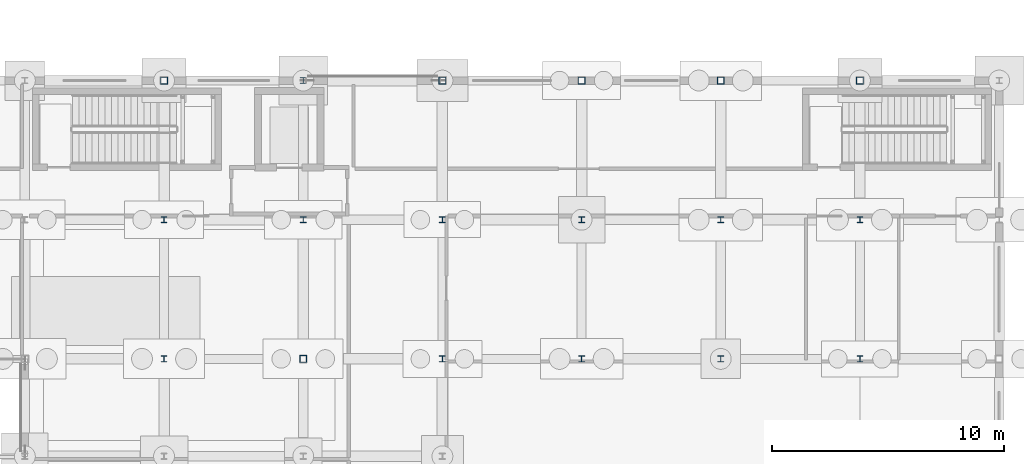
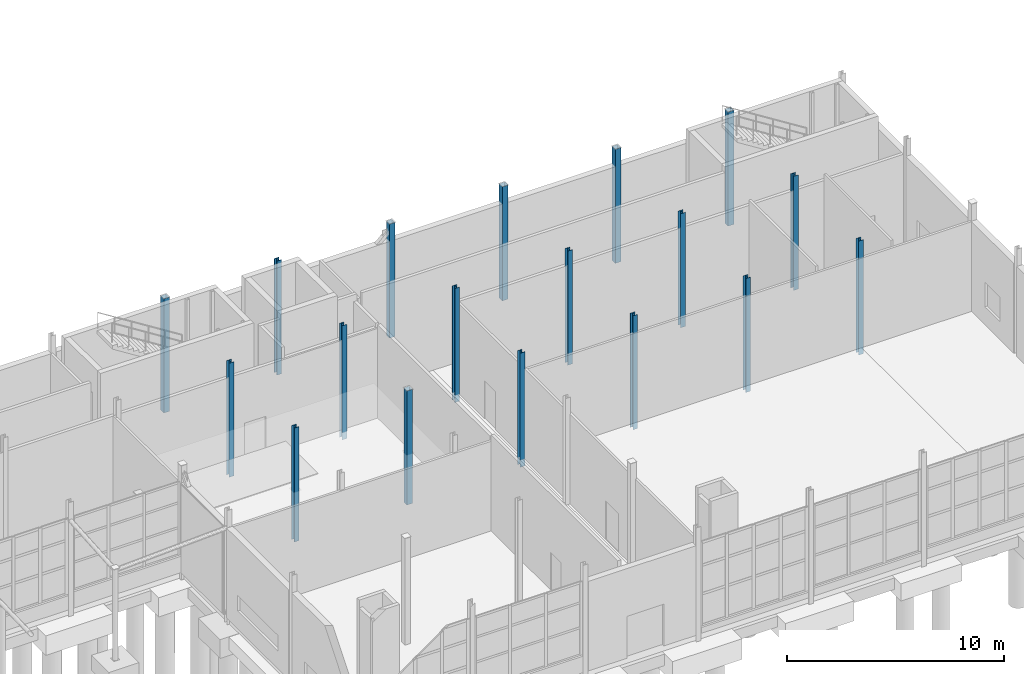
# One storey, part 25 of 120: 18 columns.
"""IFC4 building model written with IfcOpenShell, lengths in metres."""

from ifc_helpers import new_model, si_unit, direction, frame, origin, origin_2d, place, context, subcontext, project, spatial, hollow_rectangle, i_section, extrude, material, material_profile, profile_set, type_object, element, save


model = new_model("IFC4")

# Units and contexts
model_context = context("Model", 3, precision=1e-05, world=origin(), true_north=direction((0.0, 1.0)))
body_context = subcontext(model_context, "Body", "Model", "MODEL_VIEW")
ifc_project = project(units=[si_unit("LENGTHUNIT", "METRE"), si_unit("AREAUNIT", "SQUARE_METRE"), si_unit("VOLUMEUNIT", "CUBIC_METRE"), si_unit("PLANEANGLEUNIT", "RADIAN"), si_unit("MASSUNIT", "GRAM", prefix="KILO")], contexts=[model_context])

# Site, building, storey
site_placement = place(None, origin())
site = spatial("IfcSite", under=ifc_project, at=site_placement, CompositionType="ELEMENT")
building_placement = place(site_placement, origin())
building = spatial("IfcBuilding", under=site, at=building_placement, Name="Siltcreek Boulevard Central Fire Station", CompositionType="ELEMENT")
storey_placement = place(building_placement, origin())
storey = spatial("IfcBuildingStorey", under=building, at=storey_placement, Name="L01", CompositionType="ELEMENT", Elevation=0.0)

# Columns
ifc_material_1 = material(Name="Structural steel ASTM A500 GrC", Category="steel")
ifc_material_profile_1 = material_profile(ifc_material_1, hollow_rectangle(XDim=0.300048828125, YDim=0.300048828125, WallThickness=0.012451171875, at=origin_2d()), Name="HSS300X300X12.5")
ifc_profile_set_1 = profile_set([ifc_material_profile_1], Name="Structural steel ASTM A500 GrC")
column_type_1 = type_object("IfcColumnType", Name="COL_HSS300", PredefinedType="COLUMN", material=ifc_profile_set_1)
for number, where, z_axis, x_axis, name in (
    (1, (130.199951171875, 30.0, -0.409912109375), (0.0, 0.0, 1.0), (1.0, 0.0, 0.0), "L01 structural column COLG-L01-1302-300"),
    (2, (136.199951171875, 18.0, -0.409912109375), (0.0, 0.0, 1.0), (1.0, 0.0, 0.0), "L01 structural column COLG-L01-1362-180"),
    (3, (142.199951171875, 30.0, -0.409912109375), (0.0, 0.0, 1.0), (1.0, 0.0, 0.0), "L01 structural column COLG-L01-1422-300"),
    (4, (148.199951171875, 30.0, -0.409912109375), (0.0, 0.0, 1.0), (1.0, 0.0, 0.0), "L01 structural column COLG-L01-1482-300"),
    (5, (154.199951171875, 30.0, -0.409912109375), (0.0, 0.0, 1.0), (1.0, 0.0, 0.0), "L01 structural column COLG-L01-1542-300"),
    (6, (160.199951171875, 30.0, -0.409912109375), (0.0, 0.0, 1.0), (1.0, 0.0, 0.0), "L01 structural column COLG-L01-1602-300"),
):
    element("IfcColumn", number, at=place(storey_placement, frame(where, z_axis=z_axis, x_axis=x_axis)), inside=storey, type_object=column_type_1, Name=name, PredefinedType="COLUMN", context=body_context, shape_type="SweptSolid", body=[
        extrude(hollow_rectangle(XDim=0.300048828125, YDim=0.300048828125, WallThickness=0.012451171875, at=origin_2d()), origin(), (0.0, 0.0, 1.0), 6.409912109375),
    ])
ifc_material_2 = material(Name="Structural steel ASTM A992 Gr50", Category="steel")
ifc_material_profile_2 = material_profile(ifc_material_2, i_section(OverallWidth=0.25390625, OverallDepth=0.2529296875, WebThickness=0.008544921875, FlangeThickness=0.01416015625, at=origin_2d()), Name="W250X73")
ifc_profile_set_2 = profile_set([ifc_material_profile_2], Name="Structural steel ASTM A992 Gr50")
column_type_2 = type_object("IfcColumnType", Name="COL_W250X73", PredefinedType="COLUMN", material=ifc_profile_set_2)
for number, where, z_axis, x_axis, name in (
    (7, (130.199951171875, 18.0, -0.409912109375), (0.0, 0.0, 1.0), (1.0, 0.0, 0.0), "L01 structural column COLG-L01-1302-180"),
    (8, (130.199951171875, 24.0, -0.409912109375), (0.0, 0.0, 1.0), (1.0, 0.0, 0.0), "L01 structural column COLG-L01-1302-240"),
    (9, (136.199951171875, 24.0, -0.409912109375), (0.0, 0.0, 1.0), (1.0, 0.0, 0.0), "L01 structural column COLG-L01-1362-240"),
    (10, (136.199951171875, 30.0, -0.409912109375), (0.0, 0.0, 1.0), (1.0, 0.0, 0.0), "L01 structural column COLG-L01-1362-300"),
    (11, (142.199951171875, 18.0, -0.409912109375), (0.0, 0.0, 1.0), (1.0, 0.0, 0.0), "L01 structural column COLG-L01-1422-180"),
    (12, (142.199951171875, 24.0, -0.409912109375), (0.0, 0.0, 1.0), (1.0, 0.0, 0.0), "L01 structural column COLG-L01-1422-240"),
    (13, (148.199951171875, 18.0, -0.409912109375), (0.0, 0.0, 1.0), (1.0, 0.0, 0.0), "L01 structural column COLG-L01-1482-180"),
    (14, (148.199951171875, 24.0, -0.409912109375), (0.0, 0.0, 1.0), (1.0, 0.0, 0.0), "L01 structural column COLG-L01-1482-240"),
    (15, (154.199951171875, 18.0, -0.409912109375), (0.0, 0.0, 1.0), (1.0, 0.0, 0.0), "L01 structural column COLG-L01-1542-180"),
    (16, (154.199951171875, 24.0, -0.409912109375), (0.0, 0.0, 1.0), (1.0, 0.0, 0.0), "L01 structural column COLG-L01-1542-240"),
    (17, (160.199951171875, 18.0, -0.409912109375), (0.0, 0.0, 1.0), (1.0, 0.0, 0.0), "L01 structural column COLG-L01-1602-180"),
    (18, (160.199951171875, 24.0, -0.409912109375), (0.0, 0.0, 1.0), (1.0, 0.0, 0.0), "L01 structural column COLG-L01-1602-240"),
):
    element("IfcColumn", number, at=place(storey_placement, frame(where, z_axis=z_axis, x_axis=x_axis)), inside=storey, type_object=column_type_2, Name=name, PredefinedType="COLUMN", context=body_context, shape_type="SweptSolid", body=[
        extrude(i_section(OverallWidth=0.25390625, OverallDepth=0.2529296875, WebThickness=0.008544921875, FlangeThickness=0.01416015625, at=origin_2d()), origin(), (0.0, 0.0, 1.0), 6.409912109375),
    ])

save(model, "model.ifc")
